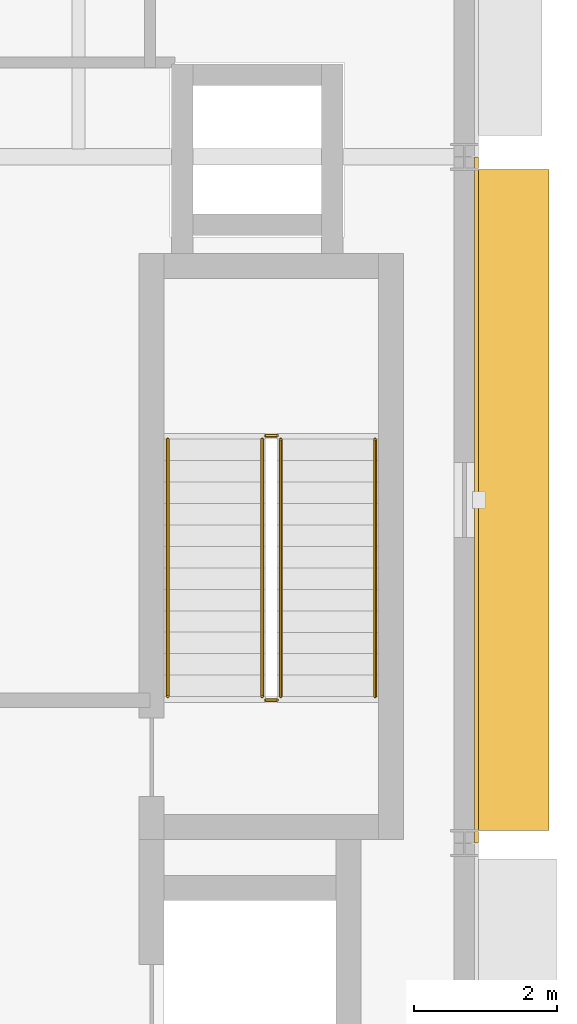
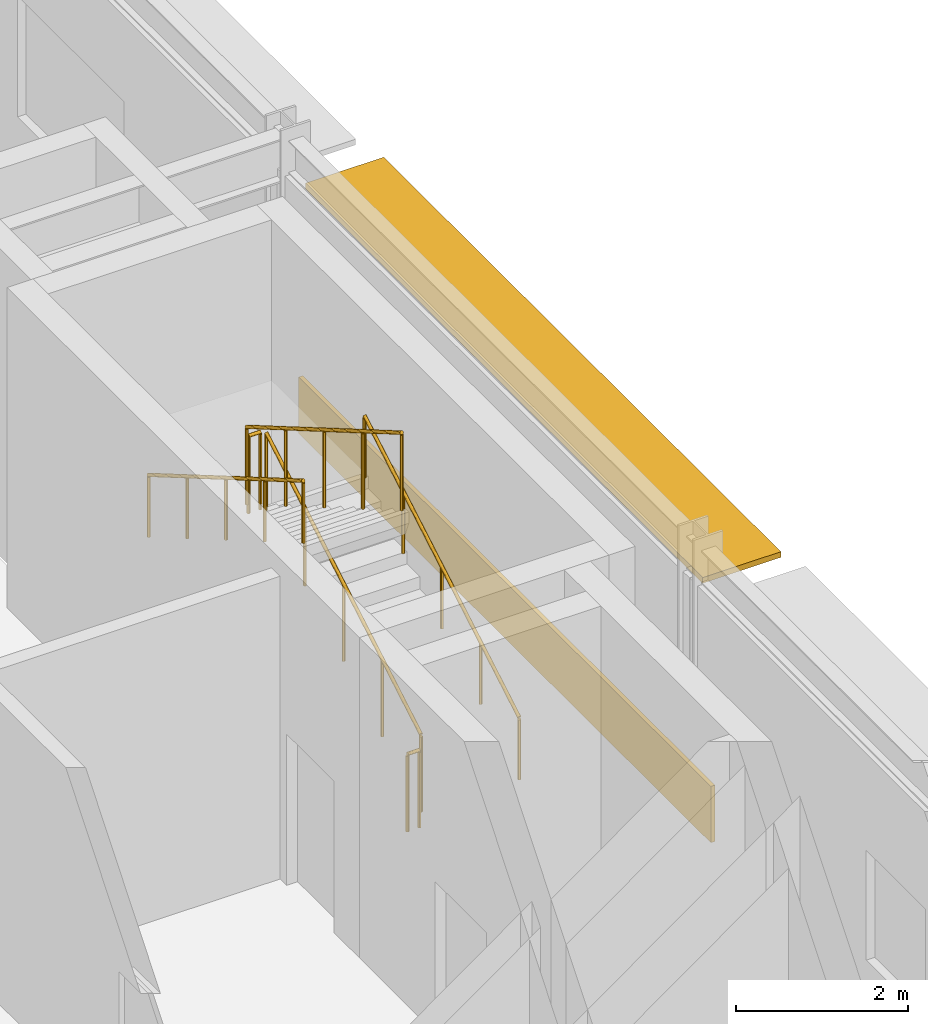
# One storey, part 130 of 133: 6 railings, 1 covering, 1 shading device.
"""IFC4 building model written with IfcOpenShell, lengths in metres."""

import ifcopenshell
import ifcopenshell.guid

model = None  # the IFC model being written
_history = None  # IfcOwnerHistory: only IFC2X3 demands one
_inside = {}  # id of a spatial element -> (the spatial element, [elements in it])
_under = {}  # id of a project, library or spatial element -> (it, [spatial elements below it])
_declared = {}  # id of a project -> (the project, [libraries it declares])
_typed = {}  # id of a type object -> (the type object, [elements of that type])
_made_of = {}  # id of a material, layer set ... -> (it, [elements and type objects made of it])


def new_model(schema):
    """Start an empty IFC model of exactly this schema.

    Asked for "IFC4X3", IfcOpenShell would pick the latest addendum, in which some entities
    have other attributes; the version numbers below select the first issue.
    IFC2X3 requires an IfcOwnerHistory on every rooted entity: one is made here for all.
    """
    global model, _history
    if schema == "IFC4X3":
        model = ifcopenshell.file(schema_version=(4, 3, 0, 0))
    else:
        model = ifcopenshell.file(schema=schema)
    _inside.clear()
    _under.clear()
    _declared.clear()
    _typed.clear()
    _made_of.clear()
    _history = None
    if model.schema == "IFC2X3":
        org = make("IfcOrganization", Name="unknown")
        user = make(
            "IfcPersonAndOrganization",
            ThePerson=make("IfcPerson", FamilyName="unknown"),
            TheOrganization=org,
        )
        app = make(
            "IfcApplication",
            ApplicationDeveloper=org,
            Version="unknown",
            ApplicationFullName="unknown",
            ApplicationIdentifier="unknown",
        )
        _history = make(
            "IfcOwnerHistory",
            OwningUser=user,
            OwningApplication=app,
            ChangeAction="ADDED",
            CreationDate=0,
        )
    return model


def make(cls, **values):
    """One entity of the class cls with the attributes given. An attribute that is None is left unset."""
    return model.create_entity(
        cls, **{name: value for name, value in values.items() if value is not None}
    )


def rooted(cls, **values):
    """An entity with a GlobalId (a new one), such as an element, a storey or a relation."""
    return make(cls, GlobalId=ifcopenshell.guid.new(), OwnerHistory=_history, **values)


def si_unit(unit_type, name, prefix=None):
    """IfcSIUnit, for example si_unit("LENGTHUNIT", "METRE", prefix="MILLI")."""
    return make("IfcSIUnit", UnitType=unit_type, Prefix=prefix, Name=name)


def assignment(units):
    """IfcUnitAssignment: the units of a project."""
    return None if units is None else make("IfcUnitAssignment", Units=units)


def point(xyz):
    """IfcCartesianPoint."""
    return None if xyz is None else make("IfcCartesianPoint", Coordinates=xyz)


def direction(xyz):
    """IfcDirection."""
    return None if xyz is None else make("IfcDirection", DirectionRatios=xyz)


def frame(location, z_axis=None, x_axis=None):
    """IfcAxis2Placement3D, a coordinate frame: its origin and axes. An axis left out is left unset."""
    return make(
        "IfcAxis2Placement3D",
        Location=point(location),
        Axis=direction(z_axis),
        RefDirection=direction(x_axis),
    )


def frame_2d(location, x_axis=None):
    """IfcAxis2Placement2D, a coordinate frame in the plane: its origin and x axis."""
    return make(
        "IfcAxis2Placement2D", Location=point(location), RefDirection=direction(x_axis)
    )


def origin():
    """The frame at (0, 0, 0) with its axes left unset."""
    return frame((0.0, 0.0, 0.0))


def origin_2d():
    """The frame at (0, 0) in the plane with its x axis left unset."""
    return frame_2d((0.0, 0.0))


def place(relative_to, where):
    """IfcLocalPlacement: puts the frame where relative to a parent placement (None: the world)."""
    return make(
        "IfcLocalPlacement", PlacementRelTo=relative_to, RelativePlacement=where
    )


def context(
    kind, dimensions, precision=None, world=None, true_north=None, identifier=None
):
    """IfcGeometricRepresentationContext, for example the 3D "Model" context."""
    return make(
        "IfcGeometricRepresentationContext",
        ContextIdentifier=identifier,
        ContextType=kind,
        CoordinateSpaceDimension=dimensions,
        Precision=precision,
        WorldCoordinateSystem=world,
        TrueNorth=true_north,
    )


def subcontext(parent, identifier, kind, view, scale=None):
    """IfcGeometricRepresentationSubContext, for example "Body" below "Model"."""
    return make(
        "IfcGeometricRepresentationSubContext",
        ContextIdentifier=identifier,
        ContextType=kind,
        ParentContext=parent,
        TargetScale=scale,
        TargetView=view,
    )


def project(units=None, contexts=None):
    """IfcProject with its units and contexts."""
    return rooted(
        "IfcProject",
        Name="project",
        RepresentationContexts=contexts,
        UnitsInContext=assignment(units),
    )


def spatial(cls, under=None, at=None, **own):
    """A site, building, storey or space (cls), placed at a placement, below another one or the project."""
    s = rooted(cls, ObjectPlacement=at, **own)
    if under is not None:
        _under.setdefault(under.id(), (under, []))[1].append(s)
    return s


def profile(cls, at=None, kind="AREA", **sizes):
    """A parametric profile (cls). Its sizes go by their IFC names, for example OverallWidth=200.0."""
    return make(cls, ProfileType=kind, Position=at, **sizes)


def rectangle(**sizes):
    """IfcRectangleProfileDef."""
    return profile("IfcRectangleProfileDef", **sizes)


def circle(**sizes):
    """IfcCircleProfileDef."""
    return profile("IfcCircleProfileDef", **sizes)


def extrude(swept, where, along, depth):
    """IfcExtrudedAreaSolid: the profile swept, set in the frame where, extruded along a direction by depth."""
    return make(
        "IfcExtrudedAreaSolid",
        SweptArea=swept,
        Position=where,
        ExtrudedDirection=direction(along),
        Depth=depth,
    )


def shape(context_of_items, identifier, shape_type, items):
    """IfcShapeRepresentation: the items that make up one representation, for example the "Body"."""
    return make(
        "IfcShapeRepresentation",
        ContextOfItems=context_of_items,
        RepresentationIdentifier=identifier,
        RepresentationType=shape_type,
        Items=items,
    )


def material(Name=None, Category=None):
    """IfcMaterial."""
    return make("IfcMaterial", Name=Name, Category=Category)


def layer(
    of_material, thickness, ventilated=None, Name=None, Category=None, Priority=None
):
    """IfcMaterialLayer: one layer of a wall or slab, of a material (None: an air gap)."""
    return make(
        "IfcMaterialLayer",
        Material=of_material,
        LayerThickness=thickness,
        IsVentilated=ventilated,
        Name=Name,
        Category=Category,
        Priority=Priority,
    )


def layer_set(layers, Name=None):
    """IfcMaterialLayerSet."""
    return make("IfcMaterialLayerSet", MaterialLayers=layers, LayerSetName=Name)


def made_of(thing, what):
    """Note that an element or type object is made of a material, layer set ...; save() writes the relation."""
    if what is not None:
        _made_of.setdefault(what.id(), (what, []))[1].append(thing)
    return thing


def type_object(cls, material=None, **own):
    """A type object (cls), such as IfcWallType, which elements share."""
    return made_of(rooted(cls, **own), material)


def element(
    cls,
    number,
    at=None,
    inside=None,
    cuts=None,
    type_object=None,
    material=None,
    context=None,
    identifier="Body",
    shape_type=None,
    held_by="IfcProductDefinitionShape",
    body=None,
    shapes=None,
    **own,
):
    """One element of the class cls, such as IfcWall. Its Tag is "e" and its number.

    at: its placement. inside: the storey or other place that contains it. cuts: it is an
    opening in that element (IfcRelVoidsElement). A single representation is given by context,
    identifier, shape_type and body (its items); several are given by shapes. held_by: the class
    of the entity that holds the representations. save() writes the other relations.
    """
    e = rooted(cls, Tag="e%d" % number, ObjectPlacement=at, **own)
    if body is not None:
        shapes = [shape(context, identifier, shape_type, body)]
    if shapes is not None:
        e.Representation = make(held_by, Representations=shapes)
    if inside is not None:
        _inside.setdefault(inside.id(), (inside, []))[1].append(e)
    if cuts is not None:
        rooted(
            "IfcRelVoidsElement", RelatingBuildingElement=cuts, RelatedOpeningElement=e
        )
    if type_object is not None:
        _typed.setdefault(type_object.id(), (type_object, []))[1].append(e)
    return made_of(e, material)


def aggregate(whole, parts):
    """IfcRelAggregates: a whole, such as a stair, and the parts it consists of."""
    return rooted("IfcRelAggregates", RelatingObject=whole, RelatedObjects=parts)


def save(model, path):
    """Write the relations noted so far, then the file.

    IfcRelAggregates (storeys below a building ...), IfcRelContainedInSpatialStructure (elements
    in a storey), IfcRelDefinesByType, IfcRelAssociatesMaterial and IfcRelDeclares: one each for
    every whole, place, type object, material and project.
    """
    for whole, parts in _under.values():
        aggregate(whole, parts)
    for where, things in _inside.values():
        rooted(
            "IfcRelContainedInSpatialStructure",
            RelatedElements=things,
            RelatingStructure=where,
        )
    for kind, things in _typed.values():
        rooted("IfcRelDefinesByType", RelatedObjects=things, RelatingType=kind)
    for what, things in _made_of.values():
        rooted("IfcRelAssociatesMaterial", RelatedObjects=things, RelatingMaterial=what)
    for by, libraries in _declared.values():
        rooted("IfcRelDeclares", RelatingContext=by, RelatedDefinitions=libraries)
    model.write(path)


model = new_model("IFC4")

# Units and contexts
model_context = context("Model", 3, precision=1e-05, world=origin(), true_north=direction((0.0, 1.0)))
body_context = subcontext(model_context, "Body", "Model", "MODEL_VIEW")
ifc_project = project(units=[si_unit("LENGTHUNIT", "METRE"), si_unit("AREAUNIT", "SQUARE_METRE"), si_unit("VOLUMEUNIT", "CUBIC_METRE"), si_unit("PLANEANGLEUNIT", "RADIAN"), si_unit("MASSUNIT", "GRAM", prefix="KILO")], contexts=[model_context])

# Site, building, storey
site_placement = place(None, origin())
site = spatial("IfcSite", under=ifc_project, at=site_placement, CompositionType="ELEMENT")
building_placement = place(site_placement, origin())
building = spatial("IfcBuilding", under=site, at=building_placement, Name="Almandine Court Research Institute", CompositionType="ELEMENT")
storey_placement = place(building_placement, frame((0.0, 0.0, 9.800048828125)))
storey = spatial("IfcBuildingStorey", under=building, at=storey_placement, Name="L02", CompositionType="ELEMENT", Elevation=9.800048828125)

# Covering
ifc_material_1 = material(Name="Extruded Cream-Ochre Seismic Terracotta Spandrel", Category="masonry")
ifc_layer_1 = layer(ifc_material_1, 0.054931640625)
ifc_layer_set_1 = layer_set([ifc_layer_1], Name="Extruded Cream-Ochre Seismic Terracotta Spandrel")
covering_type = type_object("IfcCoveringType", Name="Cov-CLAD-TERR", PredefinedType="CLADDING", material=ifc_layer_set_1)
covering_placement = place(storey_placement, frame((174.1708984375, 30.0, 0.02001953125), z_axis=(0.0, 0.0, 1.0), x_axis=(0.0, -1.0, 0.0)))
element("IfcCovering", 1, at=covering_placement, inside=storey, type_object=covering_type, Name="L02 Facade Spandrel Cladding Band 148", PredefinedType="CLADDING", context=body_context, shape_type="SweptSolid", body=[
    extrude(rectangle(XDim=9.592041015625, YDim=0.054931640625, at=origin_2d()), origin(), (0.0, 0.0, 1.0), 0.800048828125),
])

# Railings
ifc_material_2 = material(Name="Powder-Coated Steel Stair and Atrium Balustrade", Category="steel")
railing_type_1 = type_object("IfcRailingType", Name="Rail-GUARD-INT", PredefinedType="BALUSTRADE", material=ifc_material_2)
railing_1_placement = place(storey_placement, frame((171.429931640625, 27.25, 0.175048828125)))
element("IfcRailing", 2, at=railing_1_placement, inside=storey, type_object=railing_type_1, Name="L02 ST-07 stair guard 1", PredefinedType="BALUSTRADE", context=body_context, shape_type="SweptSolid", body=[
    extrude(circle(Radius=0.02392578125, at=origin_2d()), frame((0.0, 0.0, 1.09619140625), z_axis=(0.0, 0.863800146258, 0.503834603144), x_axis=(-1.0, 0.0, 0.0)), (0.0, 0.0, 1.0), 4.167724609375),
    extrude(circle(Radius=0.02099609375, at=origin_2d()), origin(), (0.0, 0.0, 1.0), 1.072021484375),
    extrude(circle(Radius=0.02099609375, at=origin_2d()), frame((0.0, 0.89990234375, 0.52490234375)), (0.0, 0.0, 1.0), 1.072021484375),
    extrude(circle(Radius=0.02099609375, at=origin_2d()), frame((0.0, 1.800048828125, 1.0498046875)), (0.0, 0.0, 1.0), 1.072021484375),
    extrude(circle(Radius=0.02099609375, at=origin_2d()), frame((0.0, 2.7001953125, 1.574951171875)), (0.0, 0.0, 1.0), 1.072021484375),
    extrude(circle(Radius=0.02099609375, at=origin_2d()), frame((0.0, 3.60009765625, 2.099853515625)), (0.0, 0.0, 1.0), 1.072021484375),
])
railing_2_placement = place(storey_placement, frame((171.3798828125, 30.89990234375, 2.27490234375)))
element("IfcRailing", 3, at=railing_2_placement, inside=storey, type_object=railing_type_1, Name="L02 ST-07 stair guard 2", PredefinedType="BALUSTRADE", context=body_context, shape_type="SweptSolid", body=[
    extrude(circle(Radius=0.02392578125, at=origin_2d()), frame((0.0, 0.0, 1.09619140625), z_axis=(-1.0, 0.0, 0.0), x_axis=(0.0, -1.0, 0.0)), (0.0, 0.0, 1.0), 0.159912109375),
    extrude(circle(Radius=0.02099609375, at=origin_2d()), origin(), (0.0, 0.0, 1.0), 1.072021484375),
    extrude(circle(Radius=0.02099609375, at=origin_2d()), frame((-0.159912109375, 0.0, 0.0)), (0.0, 0.0, 1.0), 1.072021484375),
])
railing_3_placement = place(storey_placement, frame((171.169921875, 30.85009765625, 2.449951171875)))
element("IfcRailing", 4, at=railing_3_placement, inside=storey, type_object=railing_type_1, Name="L02 ST-07 stair guard 3", PredefinedType="BALUSTRADE", context=body_context, shape_type="SweptSolid", body=[
    extrude(circle(Radius=0.02392578125, at=origin_2d()), frame((0.0, 0.0, 1.09619140625), z_axis=(0.0, -0.863774651768, 0.503878309678), x_axis=(1.0, 0.0, 0.0)), (0.0, 0.0, 1.0), 4.16796875),
    extrude(circle(Radius=0.02099609375, at=origin_2d()), origin(), (0.0, 0.0, 1.0), 1.072021484375),
    extrude(circle(Radius=0.02099609375, at=origin_2d()), frame((0.0, -0.89990234375, 0.52490234375)), (0.0, 0.0, 1.0), 1.072021484375),
    extrude(circle(Radius=0.02099609375, at=origin_2d()), frame((0.0, -1.800048828125, 1.050048828125)), (0.0, 0.0, 1.0), 1.072021484375),
    extrude(circle(Radius=0.02099609375, at=origin_2d()), frame((0.0, -2.7001953125, 1.5751953125)), (0.0, 0.0, 1.0), 1.072021484375),
    extrude(circle(Radius=0.02099609375, at=origin_2d()), frame((0.0, -3.60009765625, 2.10009765625)), (0.0, 0.0, 1.0), 1.072021484375),
])
railing_4_placement = place(storey_placement, frame((171.3798828125, 27.199951171875, 0.0)))
element("IfcRailing", 5, at=railing_4_placement, inside=storey, type_object=railing_type_1, Name="L02 ST-07 stair guard 4", PredefinedType="BALUSTRADE", context=body_context, shape_type="SweptSolid", body=[
    extrude(circle(Radius=0.02392578125, at=origin_2d()), frame((0.0, 0.0, 1.09619140625), z_axis=(-1.0, 0.0, 0.0), x_axis=(0.0, -1.0, 0.0)), (0.0, 0.0, 1.0), 0.159912109375),
    extrude(circle(Radius=0.02099609375, at=origin_2d()), origin(), (0.0, 0.0, 1.0), 1.072021484375),
    extrude(circle(Radius=0.02099609375, at=origin_2d()), frame((-0.159912109375, 0.0, 0.0)), (0.0, 0.0, 1.0), 1.072021484375),
])
ifc_material_3 = material(Name="Brushed Stainless Steel Wall Handrail", Category="steel")
railing_type_2 = type_object("IfcRailingType", Name="Rail-HAND-INT", PredefinedType="HANDRAIL", material=ifc_material_3)
railing_5_placement = place(storey_placement, frame((172.75, 27.25, 0.175048828125)))
element("IfcRailing", 6, at=railing_5_placement, inside=storey, type_object=railing_type_2, Name="L02 ST-07 stair handrail 1", PredefinedType="HANDRAIL", context=body_context, shape_type="SweptSolid", body=[
    extrude(circle(Radius=0.02392578125, at=origin_2d()), frame((0.0, 0.0, 0.8759765625), z_axis=(0.0, 0.863800146258, 0.503834603144), x_axis=(-1.0, 0.0, 0.0)), (0.0, 0.0, 1.0), 4.167724609375),
    extrude(circle(Radius=0.02099609375, at=origin_2d()), origin(), (0.0, 0.0, 1.0), 0.851806640625),
    extrude(circle(Radius=0.02099609375, at=origin_2d()), frame((0.0, 0.89990234375, 0.52490234375)), (0.0, 0.0, 1.0), 0.851806640625),
    extrude(circle(Radius=0.02099609375, at=origin_2d()), frame((0.0, 1.800048828125, 1.0498046875)), (0.0, 0.0, 1.0), 0.851806640625),
    extrude(circle(Radius=0.02099609375, at=origin_2d()), frame((0.0, 2.7001953125, 1.574951171875)), (0.0, 0.0, 1.0), 0.851806640625),
    extrude(circle(Radius=0.02099609375, at=origin_2d()), frame((0.0, 3.60009765625, 2.099853515625)), (0.0, 0.0, 1.0), 0.851806640625),
])
railing_6_placement = place(storey_placement, frame((169.85009765625, 30.85009765625, 2.449951171875)))
element("IfcRailing", 7, at=railing_6_placement, inside=storey, type_object=railing_type_2, Name="L02 ST-07 stair handrail 2", PredefinedType="HANDRAIL", context=body_context, shape_type="SweptSolid", body=[
    extrude(circle(Radius=0.02392578125, at=origin_2d()), frame((0.0, 0.0, 0.8759765625), z_axis=(0.0, -0.863774651768, 0.503878309678), x_axis=(1.0, 0.0, 0.0)), (0.0, 0.0, 1.0), 4.16796875),
    extrude(circle(Radius=0.02099609375, at=origin_2d()), origin(), (0.0, 0.0, 1.0), 0.851806640625),
    extrude(circle(Radius=0.02099609375, at=origin_2d()), frame((0.0, -0.89990234375, 0.52490234375)), (0.0, 0.0, 1.0), 0.851806640625),
    extrude(circle(Radius=0.02099609375, at=origin_2d()), frame((0.0, -1.800048828125, 1.050048828125)), (0.0, 0.0, 1.0), 0.851806640625),
    extrude(circle(Radius=0.02099609375, at=origin_2d()), frame((0.0, -2.7001953125, 1.5751953125)), (0.0, 0.0, 1.0), 0.851806640625),
    extrude(circle(Radius=0.02099609375, at=origin_2d()), frame((0.0, -3.60009765625, 2.10009765625)), (0.0, 0.0, 1.0), 0.851806640625),
])

# Shading device
ifc_material_4 = material(Name="Precast GFRC Chhajja Sunshade and Acoustic Louvre", Category="concrete")
ifc_layer_2 = layer(ifc_material_4, 0.080078125)
ifc_layer_set_2 = layer_set([ifc_layer_2], Name="Precast GFRC Chhajja Sunshade and Acoustic Louvre")
shading_device_type = type_object("IfcShadingDeviceType", Name="Shd-SD-02", PredefinedType="AWNING", material=ifc_layer_set_2)
shading_device_placement = place(storey_placement, frame((174.659912109375, 30.0, 3.60400390625), z_axis=(0.0, 0.0, 1.0), x_axis=(0.0, -1.0, 0.0)))
element("IfcShadingDevice", 8, at=shading_device_placement, inside=storey, type_object=shading_device_type, Name="L02 Projecting Chhajja Sunshade 100", PredefinedType="AWNING", context=body_context, shape_type="SweptSolid", body=[
    extrude(rectangle(XDim=9.241943359375, YDim=1.050048828125, at=origin_2d()), origin(), (0.0, 0.0, 1.0), 0.080078125),
])

save(model, "model.ifc")
